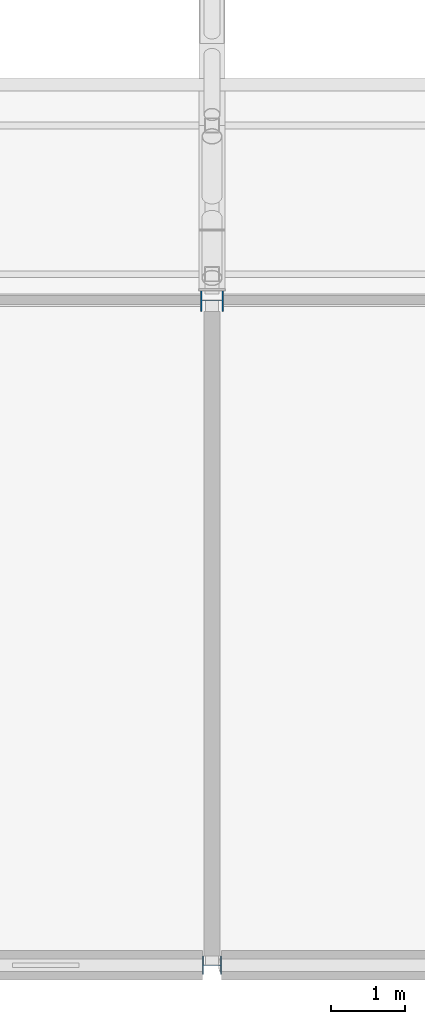
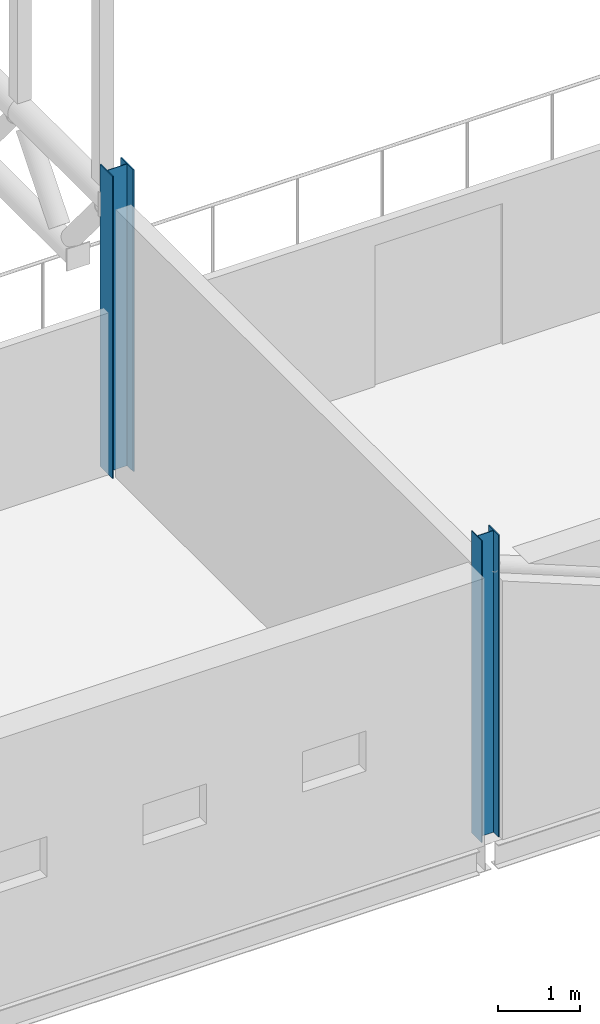
# One storey, part 3 of 138: 2 columns.
"""IFC4 building model written with IfcOpenShell, lengths in metres."""

from ifc_helpers import new_model, si_unit, direction, frame, origin, origin_2d, place, context, subcontext, project, spatial, i_section, extrude, material, material_profile, profile_set, type_object, element, save


model = new_model("IFC4")

# Units and contexts
model_context = context("Model", 3, precision=1e-05, world=origin(), true_north=direction((0.0, 1.0)))
body_context = subcontext(model_context, "Body", "Model", "MODEL_VIEW")
ifc_project = project(units=[si_unit("LENGTHUNIT", "METRE"), si_unit("AREAUNIT", "SQUARE_METRE"), si_unit("VOLUMEUNIT", "CUBIC_METRE"), si_unit("PLANEANGLEUNIT", "RADIAN"), si_unit("MASSUNIT", "GRAM", prefix="KILO")], contexts=[model_context])

# Site, building, storey
site_placement = place(None, origin())
site = spatial("IfcSite", under=ifc_project, at=site_placement, CompositionType="ELEMENT")
building_placement = place(site_placement, origin())
building = spatial("IfcBuilding", under=site, at=building_placement, Name="Corbel Yard City Hall", CompositionType="ELEMENT")
storey_placement = place(building_placement, frame((0.0, 0.0, 10.5)))
storey = spatial("IfcBuildingStorey", under=building, at=storey_placement, Name="L02", CompositionType="ELEMENT", Elevation=10.5)

# Columns
ifc_material = material(Name="Steel Grade 300 (300 MPa yield)", Category="steel")
ifc_material_profile_1 = material_profile(ifc_material, i_section(OverallWidth=0.25390625, OverallDepth=0.25390625, WebThickness=0.008544921875, FlangeThickness=0.01416015625, at=origin_2d()), Name="250UC72.9")
ifc_profile_set_1 = profile_set([ifc_material_profile_1], Name="Steel Grade 300 (300 MPa yield)")
column_type_1 = type_object("IfcColumnType", Name="Column 250UC72.9", PredefinedType="COLUMN", material=ifc_profile_set_1)
column_1_placement = place(storey_placement, frame((63.0, 0.0, 0.0), z_axis=(0.0, 0.0, 1.0), x_axis=(0.0, 1.0, 0.0)))
element("IfcColumn", 1, at=column_1_placement, inside=storey, type_object=column_type_1, Name="Column 250UC72.9 A/8 L02", PredefinedType="COLUMN", context=body_context, shape_type="SweptSolid", body=[
    extrude(i_section(OverallWidth=0.25390625, OverallDepth=0.25390625, WebThickness=0.008544921875, FlangeThickness=0.01416015625, at=origin_2d()), origin(), (0.0, 0.0, 1.0), 4.5),
])
ifc_material_profile_2 = material_profile(ifc_material, i_section(OverallWidth=0.304931640625, OverallDepth=0.30810546875, WebThickness=0.010009765625, FlangeThickness=0.015380859375, at=origin_2d()), Name="310UC96.8")
ifc_profile_set_2 = profile_set([ifc_material_profile_2], Name="Steel Grade 300 (300 MPa yield)")
column_type_2 = type_object("IfcColumnType", Name="Column 310UC96.8", PredefinedType="COLUMN", material=ifc_profile_set_2)
column_2_placement = place(storey_placement, frame((63.0, 9.0, 0.0), z_axis=(0.0, 0.0, 1.0), x_axis=(0.0, 1.0, 0.0)))
element("IfcColumn", 2, at=column_2_placement, inside=storey, type_object=column_type_2, Name="Column 310UC96.8 B/8 L02", PredefinedType="COLUMN", context=body_context, shape_type="SweptSolid", body=[
    extrude(i_section(OverallWidth=0.304931640625, OverallDepth=0.30810546875, WebThickness=0.010009765625, FlangeThickness=0.015380859375, at=origin_2d()), origin(), (0.0, 0.0, 1.0), 4.5),
])

save(model, "model.ifc")
